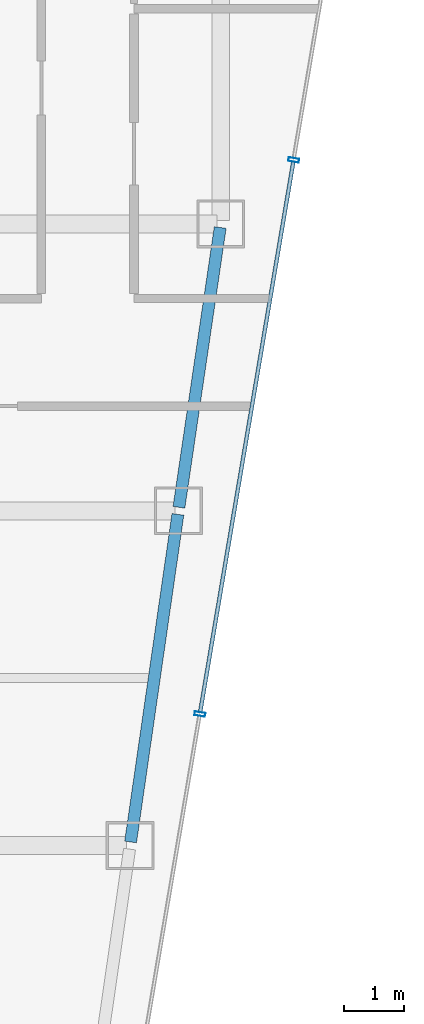
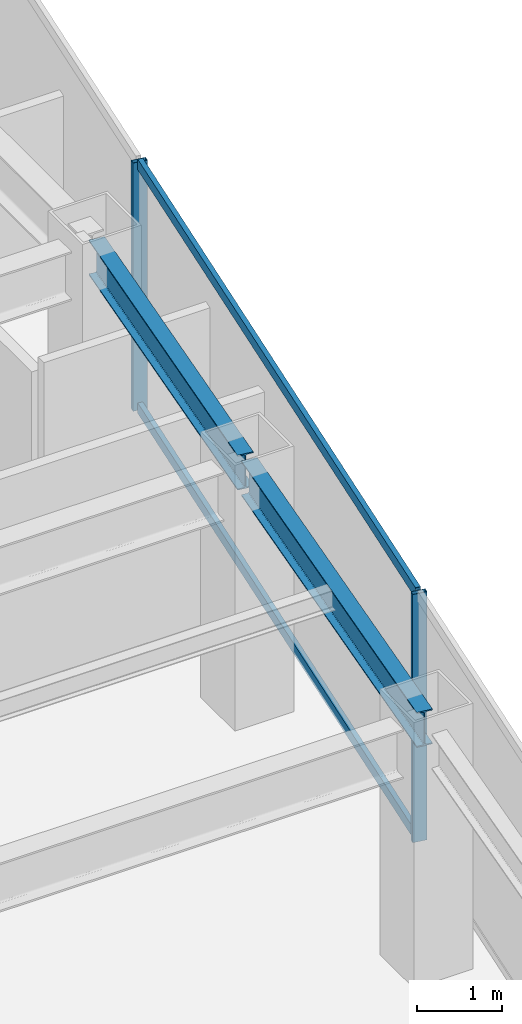
# One storey, part 22 of 35: 4 members, 2 beams, 1 element without a shape of its own.
"""IFC4 building model written with IfcOpenShell, lengths in metres."""

from ifc_helpers import new_model, si_unit, direction, frame, origin, origin_2d, place, context, subcontext, project, spatial, hollow_rectangle, i_section, extrude, material, material_profile, profile_set, type_object, element, aggregate, save


model = new_model("IFC4")

# Units and contexts
model_context = context("Model", 3, precision=1e-05, world=origin(), true_north=direction((0.0, 1.0)))
body_context = subcontext(model_context, "Body", "Model", "MODEL_VIEW")
ifc_project = project(units=[si_unit("LENGTHUNIT", "METRE"), si_unit("AREAUNIT", "SQUARE_METRE"), si_unit("VOLUMEUNIT", "CUBIC_METRE"), si_unit("PLANEANGLEUNIT", "RADIAN"), si_unit("MASSUNIT", "GRAM", prefix="KILO")], contexts=[model_context])

# Site, building, storey
site_placement = place(None, origin())
site = spatial("IfcSite", under=ifc_project, at=site_placement, CompositionType="ELEMENT")
building_placement = place(site_placement, origin())
building = spatial("IfcBuilding", under=site, at=building_placement, Name="Saevonmaru Cultural Tower", CompositionType="ELEMENT")
storey_placement = place(building_placement, frame((0.0, 0.0, 190.39990234375)))
storey = spatial("IfcBuildingStorey", under=building, at=storey_placement, Name="L43", CompositionType="ELEMENT", Elevation=190.39990234375)

# Beams
ifc_material_1 = material(Name="Steel SM355", Category="steel")
ifc_material_profile_1 = material_profile(ifc_material_1, i_section(OverallWidth=0.199951171875, OverallDepth=0.5, WebThickness=0.010009765625, FlangeThickness=0.01611328125, FilletRadius=0.02001953125, at=origin_2d()), Name="H-500x200x10x16")
ifc_profile_set_1 = profile_set([ifc_material_profile_1], Name="Steel SM355")
beam_type = type_object("IfcBeamType", Name="BM-SP-H500", PredefinedType="SPANDREL", material=ifc_profile_set_1)
beam_1_placement = place(storey_placement, frame((51.691650390625, 32.059326171875, 3.300048828125), z_axis=(0.142964121327, 0.989727871697, 0.0), x_axis=(-0.989727871697, 0.142964121327, 0.0)))
element("IfcBeam", 1, at=beam_1_placement, inside=storey, type_object=beam_type, Name="L43 East Splayed Spandrel 3", PredefinedType="SPANDREL", context=body_context, shape_type="SweptSolid", body=[
    extrude(i_section(OverallWidth=0.199951171875, OverallDepth=0.5, WebThickness=0.010009765625, FlangeThickness=0.01611328125, FilletRadius=0.02001953125, at=origin_2d()), origin(), (0.0, 0.0, 1.0), 5.5380859375),
])
beam_2_placement = place(storey_placement, frame((52.500732421875, 37.659423828125, 3.300048828125), z_axis=(0.145912860028, 0.989297446312, 0.0), x_axis=(-0.989297446312, 0.145912860028, 0.0)))
element("IfcBeam", 2, at=beam_2_placement, inside=storey, type_object=beam_type, Name="L43 East Splayed Spandrel 4", PredefinedType="SPANDREL", context=body_context, shape_type="SweptSolid", body=[
    extrude(i_section(OverallWidth=0.199951171875, OverallDepth=0.5, WebThickness=0.010009765625, FlangeThickness=0.01611328125, FilletRadius=0.02001953125, at=origin_2d()), origin(), (0.0, 0.0, 1.0), 4.731689453125),
])

# Curtain wall, members
ifc_material_2 = material(Name="Satin Bronze Anodised Aluminium", Category="aluminium")
curtain_wall_type = type_object("IfcCurtainWallType", Name="CW-TYP-B", PredefinedType="NOTDEFINED", material=ifc_material_2)
curtain_wall_placement = place(storey_placement, origin())
curtain_wall = element("IfcCurtainWall", 3, at=curtain_wall_placement, inside=storey, type_object=curtain_wall_type, Name="L43 Unitised Curtain Wall E8", PredefinedType="NOTDEFINED")
ifc_material_profile_2 = material_profile(ifc_material_2, hollow_rectangle(XDim=0.06494140625, YDim=0.179931640625, WallThickness=0.00390625, at=origin_2d()), Name="ALU-MULL-180x65x4")
ifc_profile_set_2 = profile_set([ifc_material_profile_2], Name="Satin Bronze Anodised Aluminium")
member_type_1 = type_object("IfcMemberType", Name="ML-CW-180x65", PredefinedType="MULLION", material=ifc_profile_set_2)
member_1_placement = place(storey_placement, frame((52.85107421875, 34.199951171875, 0.0), z_axis=(0.0, 0.0, 1.0), x_axis=(0.16692169721, 0.985970155228, 0.0)))
member_1 = element("IfcMember", 4, at=member_1_placement, type_object=member_type_1, Name="CW-TW-L43-E8 mullion 3", PredefinedType="MULLION", context=body_context, shape_type="SweptSolid", body=[
    extrude(hollow_rectangle(XDim=0.06494140625, YDim=0.179931640625, WallThickness=0.00390625, at=origin_2d()), origin(), (0.0, 0.0, 1.0), 3.550048828125),
])
member_2_placement = place(storey_placement, frame((54.420654296875, 43.470458984375, 0.0), z_axis=(0.0, 0.0, 1.0), x_axis=(0.16692169721, 0.985970155228, 0.0)))
member_2 = element("IfcMember", 5, at=member_2_placement, type_object=member_type_1, Name="CW-TW-L43-E8 mullion 4", PredefinedType="MULLION", context=body_context, shape_type="SweptSolid", body=[
    extrude(hollow_rectangle(XDim=0.06494140625, YDim=0.179931640625, WallThickness=0.00390625, at=origin_2d()), origin(), (0.0, 0.0, 1.0), 3.550048828125),
])
ifc_material_profile_3 = material_profile(ifc_material_2, hollow_rectangle(XDim=0.06494140625, YDim=0.14990234375, WallThickness=0.00390625, at=origin_2d()), Name="ALU-TRAN-150x65x4")
ifc_profile_set_3 = profile_set([ifc_material_profile_3], Name="Satin Bronze Anodised Aluminium")
member_type_2 = type_object("IfcMemberType", Name="TR-CW-150x65", PredefinedType="USERDEFINED", material=ifc_profile_set_3)
member_3_placement = place(storey_placement, frame((52.8564453125, 34.23193359375, 0.03271484375), z_axis=(0.166916960754, 0.985970957084, 0.0), x_axis=(-0.985970957084, 0.166916960754, 0.0)))
member_3 = element("IfcMember", 6, at=member_3_placement, type_object=member_type_2, Name="CW-TW-L43-E8 transom 3.1", ObjectType="TRANSOM", PredefinedType="USERDEFINED", context=body_context, shape_type="SweptSolid", body=[
    extrude(hollow_rectangle(XDim=0.06494140625, YDim=0.14990234375, WallThickness=0.00390625, at=origin_2d()), origin(), (0.0, 0.0, 1.0), 9.337646484375),
])
member_4_placement = place(storey_placement, frame((52.8564453125, 34.23193359375, 3.517578125), z_axis=(0.166916960754, 0.985970957084, 0.0), x_axis=(-0.985970957084, 0.166916960754, 0.0)))
member_4 = element("IfcMember", 7, at=member_4_placement, type_object=member_type_2, Name="CW-TW-L43-E8 transom 3.2", ObjectType="TRANSOM", PredefinedType="USERDEFINED", context=body_context, shape_type="SweptSolid", body=[
    extrude(hollow_rectangle(XDim=0.06494140625, YDim=0.14990234375, WallThickness=0.00390625, at=origin_2d()), origin(), (0.0, 0.0, 1.0), 9.337646484375),
])
aggregate(curtain_wall, [member_1, member_2, member_3, member_4])

save(model, "model.ifc")
